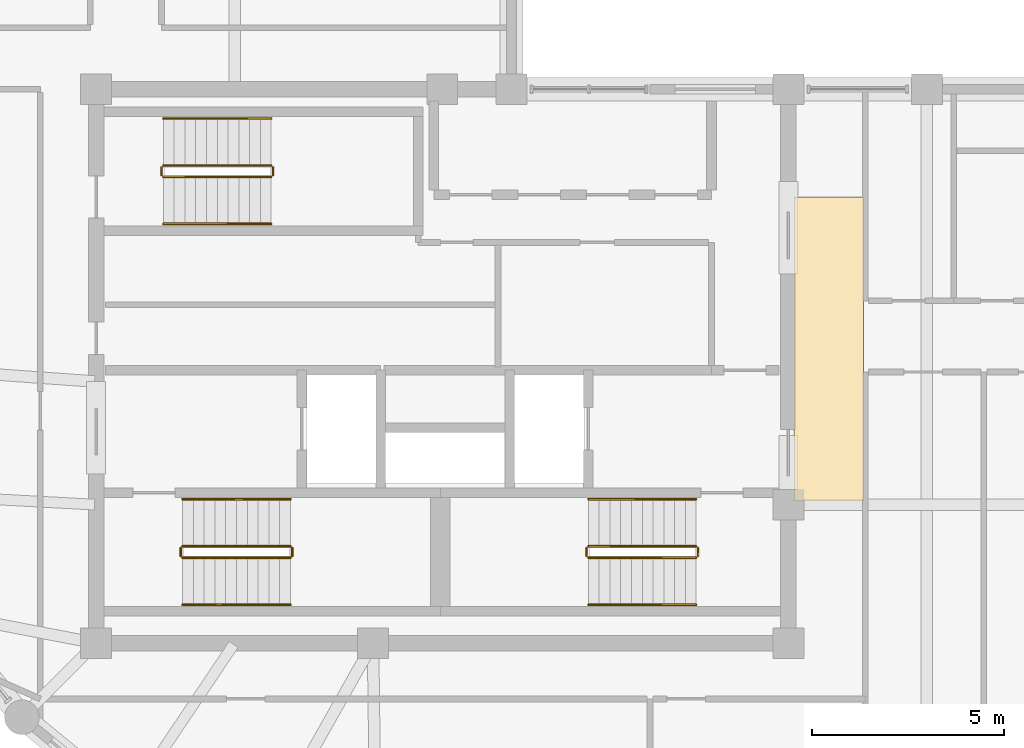
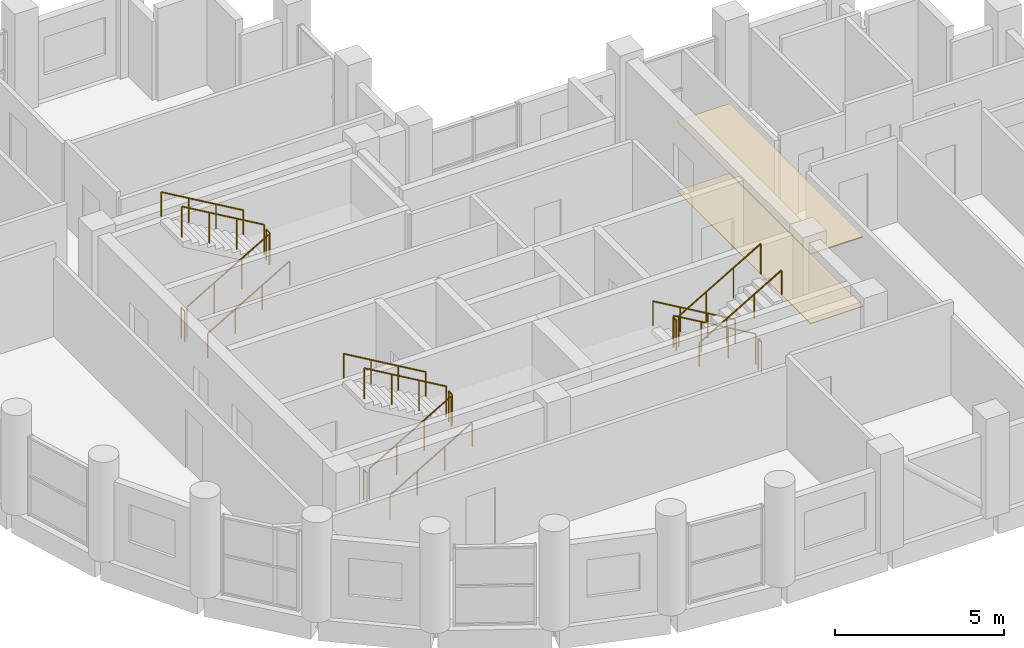
# One storey, part 17 of 17: 18 railings, 2 coverings.
"""IFC4 building model written with IfcOpenShell, lengths in metres."""

from ifc_helpers import new_model, si_unit, direction, frame, origin, origin_2d, place, context, subcontext, project, spatial, polyline, circle, outline, extrude, material, layer, layer_set, type_object, element, save


model = new_model("IFC4")

# Units and contexts
model_context = context("Model", 3, precision=1e-05, world=origin(), true_north=direction((0.0, 1.0)))
body_context = subcontext(model_context, "Body", "Model", "MODEL_VIEW")
ifc_project = project(units=[si_unit("LENGTHUNIT", "METRE"), si_unit("AREAUNIT", "SQUARE_METRE"), si_unit("VOLUMEUNIT", "CUBIC_METRE"), si_unit("PLANEANGLEUNIT", "RADIAN"), si_unit("MASSUNIT", "GRAM", prefix="KILO")], contexts=[model_context])

# Site, building, storey
site_placement = place(None, origin())
site = spatial("IfcSite", under=ifc_project, at=site_placement, CompositionType="ELEMENT")
building_placement = place(site_placement, origin())
building = spatial("IfcBuilding", under=site, at=building_placement, Name="Solnavia Interchange Tower", CompositionType="ELEMENT")
storey_placement = place(building_placement, frame((0.0, 0.0, 291.800048828125)))
storey = spatial("IfcBuildingStorey", under=building, at=storey_placement, Name="L74", CompositionType="ELEMENT", Elevation=291.800048828125)

# Coverings
ifc_material_1 = material(Name="Perforated Mineral-Fibre & Gypsum Ceiling", Category="gypsum")
ifc_layer_1 = layer(ifc_material_1, 0.0400390625)
ifc_layer_set_1 = layer_set([ifc_layer_1], Name="Perforated Mineral-Fibre & Gypsum Ceiling")
covering_type_1 = type_object("IfcCoveringType", Name="Covering-Ceiling-Acoustic40", PredefinedType="CEILING", material=ifc_layer_set_1)
covering_1_placement = place(storey_placement, frame((0.0, 0.0, 2.5)))
element("IfcCovering", 1, at=covering_1_placement, inside=storey, type_object=covering_type_1, Name="CLG-L74-01 Circulation suspended acoustic ceiling", PredefinedType="CEILING", context=body_context, shape_type="SweptSolid", body=[
    extrude(outline(polyline([(32.550048828125, 14.5), (34.35009765625, 14.5), (34.35009765625, 22.39990234375), (32.550048828125, 22.39990234375), (32.550048828125, 14.5)])), origin(), (0.0, 0.0, 1.0), 0.0400390625),
])
ifc_material_2 = material(Name="Polished Alicante Stone Terrazzo", Category="masonry")
ifc_layer_2 = layer(ifc_material_2, 0.02490234375)
ifc_layer_set_2 = layer_set([ifc_layer_2], Name="Polished Alicante Stone Terrazzo")
covering_type_2 = type_object("IfcCoveringType", Name="Covering-Flooring-Terrazzo25", PredefinedType="FLOORING", material=ifc_layer_set_2)
covering_2_placement = place(storey_placement, origin())
element("IfcCovering", 2, at=covering_2_placement, inside=storey, type_object=covering_type_2, Name="FLR-L74-01 Circulation floor finish", PredefinedType="FLOORING", context=body_context, shape_type="SweptSolid", body=[
    extrude(outline(polyline([(32.550048828125, 14.5), (34.35009765625, 14.5), (34.35009765625, 22.39990234375), (32.550048828125, 22.39990234375), (32.550048828125, 14.5)])), origin(), (0.0, 0.0, 1.0), 0.02490234375),
])

# Railings
ifc_material_3 = material(Name="Painted Steel Balustrade", Category="steel")
railing_type_1 = type_object("IfcRailingType", Name="Railing-StairGuard-1100", PredefinedType="GUARDRAIL", material=ifc_material_3)
railing_1_placement = place(storey_placement, frame((16.64990234375, 13.02001953125, 0.16357421875)))
element("IfcRailing", 3, at=railing_1_placement, inside=storey, type_object=railing_type_1, Name="L74 ST-1 stair guard 1", PredefinedType="GUARDRAIL", context=body_context, shape_type="SweptSolid", body=[
    extrude(circle(Radius=0.02392578125, at=origin_2d()), frame((0.0, 0.0, 1.09619140625), z_axis=(0.863360870873, 0.0, 0.504586966384), x_axis=(0.0, 1.0, 0.0)), (0.0, 0.0, 1.0), 3.2431640625),
    extrude(circle(Radius=0.02099609375, at=origin_2d()), origin(), (0.0, 0.0, 1.0), 1.072021484375),
    extrude(circle(Radius=0.02099609375, at=origin_2d()), frame((0.933349609375, 0.0, 0.54541015625)), (0.0, 0.0, 1.0), 1.072021484375),
    extrude(circle(Radius=0.02099609375, at=origin_2d()), frame((1.86669921875, 0.0, 1.091064453125)), (0.0, 0.0, 1.0), 1.072021484375),
    extrude(circle(Radius=0.02099609375, at=origin_2d()), frame((2.800048828125, 0.0, 1.636474609375)), (0.0, 0.0, 1.0), 1.072021484375),
])
railing_2_placement = place(storey_placement, frame((19.5, 13.070068359375, 1.800048828125)))
element("IfcRailing", 4, at=railing_2_placement, inside=storey, type_object=railing_type_1, Name="L74 ST-1 stair guard 2", PredefinedType="GUARDRAIL", context=body_context, shape_type="SweptSolid", body=[
    extrude(circle(Radius=0.02392578125, at=origin_2d()), frame((0.0, 0.0, 1.09619140625), z_axis=(0.0, 1.0, 0.0), x_axis=(-1.0, 0.0, 0.0)), (0.0, 0.0, 1.0), 0.199951171875),
    extrude(circle(Radius=0.02099609375, at=origin_2d()), origin(), (0.0, 0.0, 1.0), 1.072021484375),
    extrude(circle(Radius=0.02099609375, at=origin_2d()), frame((0.0, 0.199951171875, 0.0)), (0.0, 0.0, 1.0), 1.072021484375),
])
railing_3_placement = place(storey_placement, frame((19.449951171875, 13.320068359375, 1.963623046875)))
element("IfcRailing", 5, at=railing_3_placement, inside=storey, type_object=railing_type_1, Name="L74 ST-1 stair guard 3", PredefinedType="GUARDRAIL", context=body_context, shape_type="SweptSolid", body=[
    extrude(circle(Radius=0.02392578125, at=origin_2d()), frame((0.0, 0.0, 1.09619140625), z_axis=(-0.863393664356, 0.0, 0.504530851732), x_axis=(0.0, -1.0, 0.0)), (0.0, 0.0, 1.0), 3.2431640625),
    extrude(circle(Radius=0.02099609375, at=origin_2d()), origin(), (0.0, 0.0, 1.0), 1.072021484375),
    extrude(circle(Radius=0.02099609375, at=origin_2d()), frame((-0.933349609375, 0.0, 0.54541015625)), (0.0, 0.0, 1.0), 1.072021484375),
    extrude(circle(Radius=0.02099609375, at=origin_2d()), frame((-1.86669921875, 0.0, 1.0908203125)), (0.0, 0.0, 1.0), 1.072021484375),
    extrude(circle(Radius=0.02099609375, at=origin_2d()), frame((-2.800048828125, 0.0, 1.63623046875)), (0.0, 0.0, 1.0), 1.072021484375),
])
railing_4_placement = place(storey_placement, frame((16.60009765625, 13.070068359375, 0.0)))
element("IfcRailing", 6, at=railing_4_placement, inside=storey, type_object=railing_type_1, Name="L74 ST-1 stair guard 4", PredefinedType="GUARDRAIL", context=body_context, shape_type="SweptSolid", body=[
    extrude(circle(Radius=0.02392578125, at=origin_2d()), frame((0.0, 0.0, 1.09619140625), z_axis=(0.0, 1.0, 0.0), x_axis=(-1.0, 0.0, 0.0)), (0.0, 0.0, 1.0), 0.199951171875),
    extrude(circle(Radius=0.02099609375, at=origin_2d()), origin(), (0.0, 0.0, 1.0), 1.072021484375),
    extrude(circle(Radius=0.02099609375, at=origin_2d()), frame((0.0, 0.199951171875, 0.0)), (0.0, 0.0, 1.0), 1.072021484375),
])
railing_5_placement = place(storey_placement, frame((30.0, 13.320068359375, 0.16357421875)))
element("IfcRailing", 7, at=railing_5_placement, inside=storey, type_object=railing_type_1, Name="L74 ST-2 stair guard 1", PredefinedType="GUARDRAIL", context=body_context, shape_type="SweptSolid", body=[
    extrude(circle(Radius=0.02392578125, at=origin_2d()), frame((0.0, 0.0, 1.09619140625), z_axis=(-0.863360870873, 0.0, 0.504586966384), x_axis=(0.0, -1.0, 0.0)), (0.0, 0.0, 1.0), 3.2431640625),
    extrude(circle(Radius=0.02099609375, at=origin_2d()), origin(), (0.0, 0.0, 1.0), 1.072021484375),
    extrude(circle(Radius=0.02099609375, at=origin_2d()), frame((-0.933349609375, 0.0, 0.54541015625)), (0.0, 0.0, 1.0), 1.072021484375),
    extrude(circle(Radius=0.02099609375, at=origin_2d()), frame((-1.86669921875, 0.0, 1.091064453125)), (0.0, 0.0, 1.0), 1.072021484375),
    extrude(circle(Radius=0.02099609375, at=origin_2d()), frame((-2.800048828125, 0.0, 1.636474609375)), (0.0, 0.0, 1.0), 1.072021484375),
])
railing_6_placement = place(storey_placement, frame((27.14990234375, 13.27001953125, 1.800048828125)))
element("IfcRailing", 8, at=railing_6_placement, inside=storey, type_object=railing_type_1, Name="L74 ST-2 stair guard 2", PredefinedType="GUARDRAIL", context=body_context, shape_type="SweptSolid", body=[
    extrude(circle(Radius=0.02392578125, at=origin_2d()), frame((0.0, 0.0, 1.09619140625), z_axis=(0.0, -1.0, 0.0), x_axis=(1.0, 0.0, 0.0)), (0.0, 0.0, 1.0), 0.199951171875),
    extrude(circle(Radius=0.02099609375, at=origin_2d()), origin(), (0.0, 0.0, 1.0), 1.072021484375),
    extrude(circle(Radius=0.02099609375, at=origin_2d()), frame((0.0, -0.199951171875, 0.0)), (0.0, 0.0, 1.0), 1.072021484375),
])
railing_7_placement = place(storey_placement, frame((27.199951171875, 13.02001953125, 1.963623046875)))
element("IfcRailing", 9, at=railing_7_placement, inside=storey, type_object=railing_type_1, Name="L74 ST-2 stair guard 3", PredefinedType="GUARDRAIL", context=body_context, shape_type="SweptSolid", body=[
    extrude(circle(Radius=0.02392578125, at=origin_2d()), frame((0.0, 0.0, 1.09619140625), z_axis=(0.863393664356, 0.0, 0.504530851732), x_axis=(0.0, 1.0, 0.0)), (0.0, 0.0, 1.0), 3.2431640625),
    extrude(circle(Radius=0.02099609375, at=origin_2d()), origin(), (0.0, 0.0, 1.0), 1.072021484375),
    extrude(circle(Radius=0.02099609375, at=origin_2d()), frame((0.933349609375, 0.0, 0.54541015625)), (0.0, 0.0, 1.0), 1.072021484375),
    extrude(circle(Radius=0.02099609375, at=origin_2d()), frame((1.86669921875, 0.0, 1.0908203125)), (0.0, 0.0, 1.0), 1.072021484375),
    extrude(circle(Radius=0.02099609375, at=origin_2d()), frame((2.800048828125, 0.0, 1.63623046875)), (0.0, 0.0, 1.0), 1.072021484375),
])
railing_8_placement = place(storey_placement, frame((30.050048828125, 13.27001953125, 0.0)))
element("IfcRailing", 10, at=railing_8_placement, inside=storey, type_object=railing_type_1, Name="L74 ST-2 stair guard 4", PredefinedType="GUARDRAIL", context=body_context, shape_type="SweptSolid", body=[
    extrude(circle(Radius=0.02392578125, at=origin_2d()), frame((0.0, 0.0, 1.09619140625), z_axis=(0.0, -1.0, 0.0), x_axis=(1.0, 0.0, 0.0)), (0.0, 0.0, 1.0), 0.199951171875),
    extrude(circle(Radius=0.02099609375, at=origin_2d()), origin(), (0.0, 0.0, 1.0), 1.072021484375),
    extrude(circle(Radius=0.02099609375, at=origin_2d()), frame((0.0, -0.199951171875, 0.0)), (0.0, 0.0, 1.0), 1.072021484375),
])
railing_9_placement = place(storey_placement, frame((16.14990234375, 22.919921875, 0.16357421875)))
element("IfcRailing", 11, at=railing_9_placement, inside=storey, type_object=railing_type_1, Name="L74 ST-3 stair guard 1", PredefinedType="GUARDRAIL", context=body_context, shape_type="SweptSolid", body=[
    extrude(circle(Radius=0.02392578125, at=origin_2d()), frame((0.0, 0.0, 1.09619140625), z_axis=(0.863360870873, 0.0, 0.504586966384), x_axis=(0.0, 1.0, 0.0)), (0.0, 0.0, 1.0), 3.2431640625),
    extrude(circle(Radius=0.02099609375, at=origin_2d()), origin(), (0.0, 0.0, 1.0), 1.072021484375),
    extrude(circle(Radius=0.02099609375, at=origin_2d()), frame((0.933349609375, 0.0, 0.54541015625)), (0.0, 0.0, 1.0), 1.072021484375),
    extrude(circle(Radius=0.02099609375, at=origin_2d()), frame((1.86669921875, 0.0, 1.091064453125)), (0.0, 0.0, 1.0), 1.072021484375),
    extrude(circle(Radius=0.02099609375, at=origin_2d()), frame((2.800048828125, 0.0, 1.636474609375)), (0.0, 0.0, 1.0), 1.072021484375),
])
railing_10_placement = place(storey_placement, frame((19.0, 22.969970703125, 1.800048828125)))
element("IfcRailing", 12, at=railing_10_placement, inside=storey, type_object=railing_type_1, Name="L74 ST-3 stair guard 2", PredefinedType="GUARDRAIL", context=body_context, shape_type="SweptSolid", body=[
    extrude(circle(Radius=0.02392578125, at=origin_2d()), frame((0.0, 0.0, 1.09619140625), z_axis=(0.0, 1.0, 0.0), x_axis=(-1.0, 0.0, 0.0)), (0.0, 0.0, 1.0), 0.199951171875),
    extrude(circle(Radius=0.02099609375, at=origin_2d()), origin(), (0.0, 0.0, 1.0), 1.072021484375),
    extrude(circle(Radius=0.02099609375, at=origin_2d()), frame((0.0, 0.199951171875, 0.0)), (0.0, 0.0, 1.0), 1.072021484375),
])
railing_11_placement = place(storey_placement, frame((18.949951171875, 23.219970703125, 1.963623046875)))
element("IfcRailing", 13, at=railing_11_placement, inside=storey, type_object=railing_type_1, Name="L74 ST-3 stair guard 3", PredefinedType="GUARDRAIL", context=body_context, shape_type="SweptSolid", body=[
    extrude(circle(Radius=0.02392578125, at=origin_2d()), frame((0.0, 0.0, 1.09619140625), z_axis=(-0.863393664356, 0.0, 0.504530851732), x_axis=(0.0, -1.0, 0.0)), (0.0, 0.0, 1.0), 3.2431640625),
    extrude(circle(Radius=0.02099609375, at=origin_2d()), origin(), (0.0, 0.0, 1.0), 1.072021484375),
    extrude(circle(Radius=0.02099609375, at=origin_2d()), frame((-0.933349609375, 0.0, 0.54541015625)), (0.0, 0.0, 1.0), 1.072021484375),
    extrude(circle(Radius=0.02099609375, at=origin_2d()), frame((-1.86669921875, 0.0, 1.0908203125)), (0.0, 0.0, 1.0), 1.072021484375),
    extrude(circle(Radius=0.02099609375, at=origin_2d()), frame((-2.800048828125, 0.0, 1.63623046875)), (0.0, 0.0, 1.0), 1.072021484375),
])
railing_12_placement = place(storey_placement, frame((16.10009765625, 22.969970703125, 0.0)))
element("IfcRailing", 14, at=railing_12_placement, inside=storey, type_object=railing_type_1, Name="L74 ST-3 stair guard 4", PredefinedType="GUARDRAIL", context=body_context, shape_type="SweptSolid", body=[
    extrude(circle(Radius=0.02392578125, at=origin_2d()), frame((0.0, 0.0, 1.09619140625), z_axis=(0.0, 1.0, 0.0), x_axis=(-1.0, 0.0, 0.0)), (0.0, 0.0, 1.0), 0.199951171875),
    extrude(circle(Radius=0.02099609375, at=origin_2d()), origin(), (0.0, 0.0, 1.0), 1.072021484375),
    extrude(circle(Radius=0.02099609375, at=origin_2d()), frame((0.0, 0.199951171875, 0.0)), (0.0, 0.0, 1.0), 1.072021484375),
])
ifc_material_4 = material(Name="Brushed Stainless Steel", Category="steel")
railing_type_2 = type_object("IfcRailingType", Name="Railing-StairHandrail-900", PredefinedType="HANDRAIL", material=ifc_material_4)
railing_13_placement = place(storey_placement, frame((16.64990234375, 11.800048828125, 0.16357421875)))
element("IfcRailing", 15, at=railing_13_placement, inside=storey, type_object=railing_type_2, Name="L74 ST-1 stair handrail 1", PredefinedType="HANDRAIL", context=body_context, shape_type="SweptSolid", body=[
    extrude(circle(Radius=0.02392578125, at=origin_2d()), frame((0.0, 0.0, 0.8759765625), z_axis=(0.863360870873, 0.0, 0.504586966384), x_axis=(0.0, 1.0, 0.0)), (0.0, 0.0, 1.0), 3.2431640625),
    extrude(circle(Radius=0.02099609375, at=origin_2d()), origin(), (0.0, 0.0, 1.0), 0.851806640625),
    extrude(circle(Radius=0.02099609375, at=origin_2d()), frame((0.933349609375, 0.0, 0.54541015625)), (0.0, 0.0, 1.0), 0.851806640625),
    extrude(circle(Radius=0.02099609375, at=origin_2d()), frame((1.86669921875, 0.0, 1.091064453125)), (0.0, 0.0, 1.0), 0.851806640625),
    extrude(circle(Radius=0.02099609375, at=origin_2d()), frame((2.800048828125, 0.0, 1.636474609375)), (0.0, 0.0, 1.0), 0.851806640625),
])
railing_14_placement = place(storey_placement, frame((19.449951171875, 14.5400390625, 1.963623046875)))
element("IfcRailing", 16, at=railing_14_placement, inside=storey, type_object=railing_type_2, Name="L74 ST-1 stair handrail 2", PredefinedType="HANDRAIL", context=body_context, shape_type="SweptSolid", body=[
    extrude(circle(Radius=0.02392578125, at=origin_2d()), frame((0.0, 0.0, 0.8759765625), z_axis=(-0.863393664356, 0.0, 0.504530851732), x_axis=(0.0, -1.0, 0.0)), (0.0, 0.0, 1.0), 3.2431640625),
    extrude(circle(Radius=0.02099609375, at=origin_2d()), origin(), (0.0, 0.0, 1.0), 0.851806640625),
    extrude(circle(Radius=0.02099609375, at=origin_2d()), frame((-0.933349609375, 0.0, 0.54541015625)), (0.0, 0.0, 1.0), 0.851806640625),
    extrude(circle(Radius=0.02099609375, at=origin_2d()), frame((-1.86669921875, 0.0, 1.0908203125)), (0.0, 0.0, 1.0), 0.851806640625),
    extrude(circle(Radius=0.02099609375, at=origin_2d()), frame((-2.800048828125, 0.0, 1.63623046875)), (0.0, 0.0, 1.0), 0.851806640625),
])
railing_15_placement = place(storey_placement, frame((30.0, 14.5400390625, 0.16357421875)))
element("IfcRailing", 17, at=railing_15_placement, inside=storey, type_object=railing_type_2, Name="L74 ST-2 stair handrail 1", PredefinedType="HANDRAIL", context=body_context, shape_type="SweptSolid", body=[
    extrude(circle(Radius=0.02392578125, at=origin_2d()), frame((0.0, 0.0, 0.8759765625), z_axis=(-0.863360870873, 0.0, 0.504586966384), x_axis=(0.0, -1.0, 0.0)), (0.0, 0.0, 1.0), 3.2431640625),
    extrude(circle(Radius=0.02099609375, at=origin_2d()), origin(), (0.0, 0.0, 1.0), 0.851806640625),
    extrude(circle(Radius=0.02099609375, at=origin_2d()), frame((-0.933349609375, 0.0, 0.54541015625)), (0.0, 0.0, 1.0), 0.851806640625),
    extrude(circle(Radius=0.02099609375, at=origin_2d()), frame((-1.86669921875, 0.0, 1.091064453125)), (0.0, 0.0, 1.0), 0.851806640625),
    extrude(circle(Radius=0.02099609375, at=origin_2d()), frame((-2.800048828125, 0.0, 1.636474609375)), (0.0, 0.0, 1.0), 0.851806640625),
])
railing_16_placement = place(storey_placement, frame((27.199951171875, 11.800048828125, 1.963623046875)))
element("IfcRailing", 18, at=railing_16_placement, inside=storey, type_object=railing_type_2, Name="L74 ST-2 stair handrail 2", PredefinedType="HANDRAIL", context=body_context, shape_type="SweptSolid", body=[
    extrude(circle(Radius=0.02392578125, at=origin_2d()), frame((0.0, 0.0, 0.8759765625), z_axis=(0.863393664356, 0.0, 0.504530851732), x_axis=(0.0, 1.0, 0.0)), (0.0, 0.0, 1.0), 3.2431640625),
    extrude(circle(Radius=0.02099609375, at=origin_2d()), origin(), (0.0, 0.0, 1.0), 0.851806640625),
    extrude(circle(Radius=0.02099609375, at=origin_2d()), frame((0.933349609375, 0.0, 0.54541015625)), (0.0, 0.0, 1.0), 0.851806640625),
    extrude(circle(Radius=0.02099609375, at=origin_2d()), frame((1.86669921875, 0.0, 1.0908203125)), (0.0, 0.0, 1.0), 0.851806640625),
    extrude(circle(Radius=0.02099609375, at=origin_2d()), frame((2.800048828125, 0.0, 1.63623046875)), (0.0, 0.0, 1.0), 0.851806640625),
])
railing_17_placement = place(storey_placement, frame((16.14990234375, 21.699951171875, 0.16357421875)))
element("IfcRailing", 19, at=railing_17_placement, inside=storey, type_object=railing_type_2, Name="L74 ST-3 stair handrail 1", PredefinedType="HANDRAIL", context=body_context, shape_type="SweptSolid", body=[
    extrude(circle(Radius=0.02392578125, at=origin_2d()), frame((0.0, 0.0, 0.8759765625), z_axis=(0.863360870873, 0.0, 0.504586966384), x_axis=(0.0, 1.0, 0.0)), (0.0, 0.0, 1.0), 3.2431640625),
    extrude(circle(Radius=0.02099609375, at=origin_2d()), origin(), (0.0, 0.0, 1.0), 0.851806640625),
    extrude(circle(Radius=0.02099609375, at=origin_2d()), frame((0.933349609375, 0.0, 0.54541015625)), (0.0, 0.0, 1.0), 0.851806640625),
    extrude(circle(Radius=0.02099609375, at=origin_2d()), frame((1.86669921875, 0.0, 1.091064453125)), (0.0, 0.0, 1.0), 0.851806640625),
    extrude(circle(Radius=0.02099609375, at=origin_2d()), frame((2.800048828125, 0.0, 1.636474609375)), (0.0, 0.0, 1.0), 0.851806640625),
])
railing_18_placement = place(storey_placement, frame((18.949951171875, 24.43994140625, 1.963623046875)))
element("IfcRailing", 20, at=railing_18_placement, inside=storey, type_object=railing_type_2, Name="L74 ST-3 stair handrail 2", PredefinedType="HANDRAIL", context=body_context, shape_type="SweptSolid", body=[
    extrude(circle(Radius=0.02392578125, at=origin_2d()), frame((0.0, 0.0, 0.8759765625), z_axis=(-0.863393664356, 0.0, 0.504530851732), x_axis=(0.0, -1.0, 0.0)), (0.0, 0.0, 1.0), 3.2431640625),
    extrude(circle(Radius=0.02099609375, at=origin_2d()), origin(), (0.0, 0.0, 1.0), 0.851806640625),
    extrude(circle(Radius=0.02099609375, at=origin_2d()), frame((-0.933349609375, 0.0, 0.54541015625)), (0.0, 0.0, 1.0), 0.851806640625),
    extrude(circle(Radius=0.02099609375, at=origin_2d()), frame((-1.86669921875, 0.0, 1.0908203125)), (0.0, 0.0, 1.0), 0.851806640625),
    extrude(circle(Radius=0.02099609375, at=origin_2d()), frame((-2.800048828125, 0.0, 1.63623046875)), (0.0, 0.0, 1.0), 0.851806640625),
])

save(model, "model.ifc")
